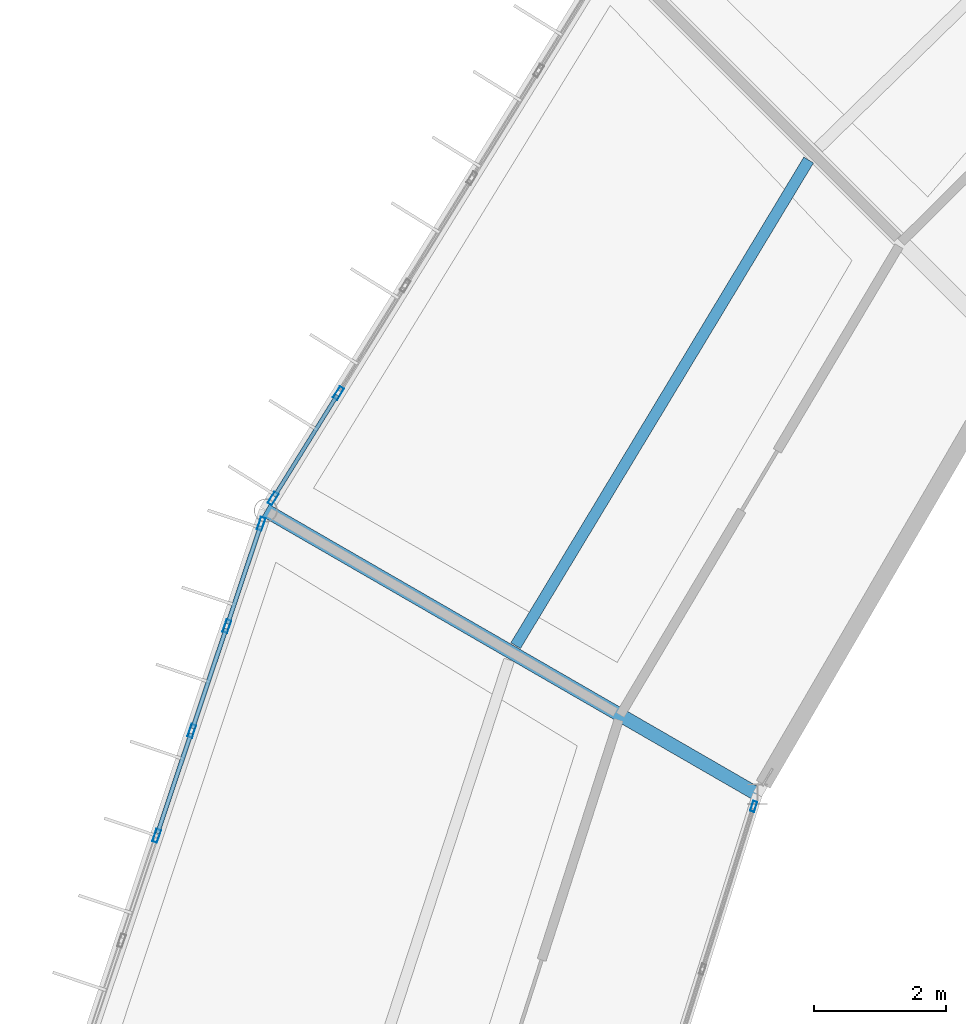
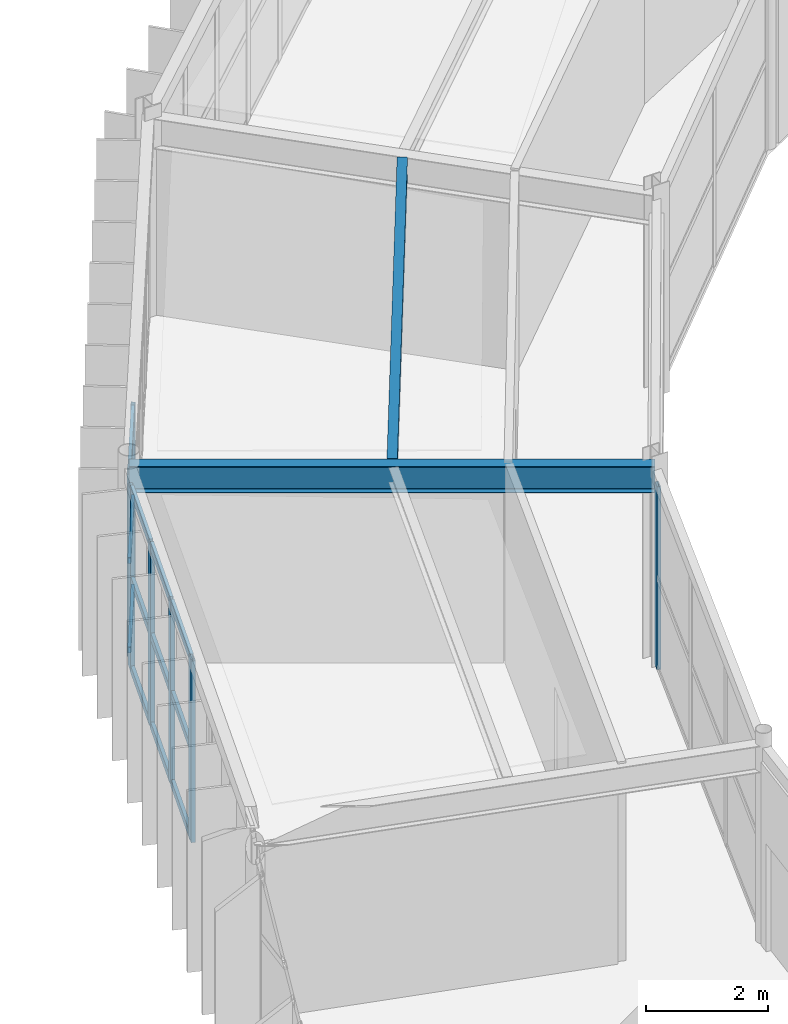
# One storey, part 73 of 148: 19 members, 2 beams, 3 elements without a shape of their own.
"""IFC4 building model written with IfcOpenShell, lengths in metres."""

from ifc_helpers import new_model, si_unit, direction, frame, origin, origin_2d, place, context, subcontext, project, spatial, hollow_rectangle, i_section, extrude, material, material_profile, profile_set, type_object, element, aggregate, save


model = new_model("IFC4")

# Units and contexts
model_context = context("Model", 3, precision=1e-05, world=origin(), true_north=direction((0.0, 1.0)))
body_context = subcontext(model_context, "Body", "Model", "MODEL_VIEW")
ifc_project = project(units=[si_unit("LENGTHUNIT", "METRE"), si_unit("AREAUNIT", "SQUARE_METRE"), si_unit("VOLUMEUNIT", "CUBIC_METRE"), si_unit("PLANEANGLEUNIT", "RADIAN"), si_unit("MASSUNIT", "GRAM", prefix="KILO")], contexts=[model_context])

# Site, building, storey
site_placement = place(None, origin())
site = spatial("IfcSite", under=ifc_project, at=site_placement, CompositionType="ELEMENT")
building_placement = place(site_placement, origin())
building = spatial("IfcBuilding", under=site, at=building_placement, Name="Karori Crest Natural Sciences Institute", CompositionType="ELEMENT")
storey_placement = place(building_placement, frame((0.0, 0.0, 4.89990234375)))
storey = spatial("IfcBuildingStorey", under=building, at=storey_placement, Name="L01", CompositionType="ELEMENT", Elevation=4.89990234375)

# Beams
ifc_material_1 = material(Name="Structural steel AS/NZS 3679.1 Grade 350", Category="steel")
ifc_material_profile_1 = material_profile(ifc_material_1, i_section(OverallWidth=0.208984375, OverallDepth=0.532958984375, WebThickness=0.01025390625, FlangeThickness=0.015625, FilletRadius=0.013916015625, at=origin_2d()), Name="530UB92.4")
ifc_profile_set_1 = profile_set([ifc_material_profile_1], Name="Structural steel AS/NZS 3679.1 Grade 350")
beam_type_1 = type_object("IfcBeamType", Name="BT-05", PredefinedType="BEAM", material=ifc_profile_set_1)
beam_1_placement = place(storey_placement, frame((45.26904296875, 66.0, 3.673583984375), z_axis=(-0.866021068297, 0.500007509209, 0.0), x_axis=(-0.500007509209, -0.866021068297, 0.0)))
element("IfcBeam", 1, at=beam_1_placement, inside=storey, type_object=beam_type_1, Name="Beam B-0221", PredefinedType="BEAM", context=body_context, shape_type="SweptSolid", body=[
    extrude(i_section(OverallWidth=0.208984375, OverallDepth=0.532958984375, WebThickness=0.01025390625, FlangeThickness=0.015625, FilletRadius=0.013916015625, at=origin_2d()), origin(), (0.0, 0.0, 1.0), 8.599853515625),
])
ifc_material_profile_2 = material_profile(ifc_material_1, i_section(OverallWidth=0.1708984375, OverallDepth=0.35595703125, WebThickness=0.00732421875, FlangeThickness=0.011474609375, FilletRadius=0.010986328125, at=origin_2d()), Name="360UB50.7")
ifc_profile_set_2 = profile_set([ifc_material_profile_2], Name="Structural steel AS/NZS 3679.1 Grade 350")
beam_type_2 = type_object("IfcBeamType", Name="BT-30", PredefinedType="BEAM", material=ifc_profile_set_2)
beam_2_placement = place(storey_placement, frame((46.044189453125, 75.606689453125, 3.76220703125), z_axis=(-0.516601017309, -0.856226248672, 0.0), x_axis=(0.856226248672, -0.516601017309, 0.0)))
element("IfcBeam", 2, at=beam_2_placement, inside=storey, type_object=beam_type_2, Name="Beam B-0218", PredefinedType="BEAM", context=body_context, shape_type="SweptSolid", body=[
    extrude(i_section(OverallWidth=0.1708984375, OverallDepth=0.35595703125, WebThickness=0.00732421875, FlangeThickness=0.011474609375, FilletRadius=0.010986328125, at=origin_2d()), origin(), (0.0, 0.0, 1.0), 8.5888671875),
])

# Curtain wall, member
ifc_material_2 = material(Name="Anodised architectural aluminium 6063-T6", Category="aluminium")
curtain_wall_type_1 = type_object("IfcCurtainWallType", Name="CWT-11", PredefinedType="NOTDEFINED", material=ifc_material_2)
curtain_wall_1_placement = place(storey_placement, origin())
curtain_wall_1 = element("IfcCurtainWall", 3, at=curtain_wall_1_placement, inside=storey, type_object=curtain_wall_type_1, Name="Curtain wall CW-0046", PredefinedType="NOTDEFINED")
ifc_material_profile_3 = material_profile(ifc_material_2, hollow_rectangle(XDim=0.06494140625, YDim=0.159912109375, WallThickness=0.00390625, at=origin_2d()), Name="CWM160x65x4")
ifc_profile_set_3 = profile_set([ifc_material_profile_3], Name="Anodised architectural aluminium 6063-T6")
member_type_1 = type_object("IfcMemberType", Name="CWM-01", PredefinedType="MULLION", material=ifc_profile_set_3)
member_1_placement = place(storey_placement, frame((45.211669921875, 65.81689453125, 0.0), z_axis=(0.0, 0.0, 1.0), x_axis=(0.954103649609, -0.2994765864, 0.0)))
member_1 = element("IfcMember", 4, at=member_1_placement, type_object=member_type_1, Name="CW-0046 mullion 1", PredefinedType="MULLION", context=body_context, shape_type="SweptSolid", body=[
    extrude(hollow_rectangle(XDim=0.06494140625, YDim=0.159912109375, WallThickness=0.00390625, at=origin_2d()), origin(), (0.0, 0.0, 1.0), 3.650146484375),
])
aggregate(curtain_wall_1, [member_1])

# Curtain wall, members
curtain_wall_type_2 = type_object("IfcCurtainWallType", Name="CWT-10", PredefinedType="NOTDEFINED", material=ifc_material_2)
curtain_wall_2_placement = place(storey_placement, origin())
curtain_wall_2 = element("IfcCurtainWall", 5, at=curtain_wall_2_placement, inside=storey, type_object=curtain_wall_type_2, Name="Curtain wall CW-0044", PredefinedType="NOTDEFINED")
ifc_material_profile_4 = material_profile(ifc_material_2, hollow_rectangle(XDim=0.074951171875, YDim=0.199951171875, WallThickness=0.0048828125, at=origin_2d()), Name="CWM200x75x5")
ifc_profile_set_4 = profile_set([ifc_material_profile_4], Name="Anodised architectural aluminium 6063-T6")
member_type_2 = type_object("IfcMemberType", Name="CWM-02", PredefinedType="MULLION", material=ifc_profile_set_4)
member_2_placement = place(storey_placement, frame((37.93359375, 70.481201171875, 0.0), z_axis=(0.0, 0.0, 1.0), x_axis=(-0.849662102168, 0.527327518853, 0.0)))
member_2 = element("IfcMember", 6, at=member_2_placement, type_object=member_type_2, Name="CW-0044 mullion 1", PredefinedType="MULLION", context=body_context, shape_type="SweptSolid", body=[
    extrude(hollow_rectangle(XDim=0.074951171875, YDim=0.199951171875, WallThickness=0.0048828125, at=origin_2d()), origin(), (0.0, 0.0, 1.0), 3.625),
])
member_3_placement = place(storey_placement, frame((38.924072265625, 72.0771484375, 0.0), z_axis=(0.0, 0.0, 1.0), x_axis=(-0.849662102168, 0.527327518853, 0.0)))
member_3 = element("IfcMember", 7, at=member_3_placement, type_object=member_type_2, Name="CW-0044 mullion 2", PredefinedType="MULLION", context=body_context, shape_type="SweptSolid", body=[
    extrude(hollow_rectangle(XDim=0.074951171875, YDim=0.199951171875, WallThickness=0.0048828125, at=origin_2d()), origin(), (0.0, 0.0, 1.0), 3.625),
])

curtain_wall_type_3 = type_object("IfcCurtainWallType", Name="CWT-01", PredefinedType="NOTDEFINED", material=ifc_material_2)
curtain_wall_3_placement = place(storey_placement, origin())
curtain_wall_3 = element("IfcCurtainWall", 8, at=curtain_wall_3_placement, inside=storey, type_object=curtain_wall_type_3, Name="Curtain wall CW-0045", PredefinedType="NOTDEFINED")
member_4_placement = place(storey_placement, frame((36.17041015625, 65.372314453125, 0.0), z_axis=(0.0, 0.0, 1.0), x_axis=(-0.948196219586, 0.317685267462, 0.0)))
member_4 = element("IfcMember", 9, at=member_4_placement, type_object=member_type_2, Name="CW-0045 mullion 4", PredefinedType="MULLION", context=body_context, shape_type="SweptSolid", body=[
    extrude(hollow_rectangle(XDim=0.074951171875, YDim=0.199951171875, WallThickness=0.0048828125, at=origin_2d()), origin(), (0.0, 0.0, 1.0), 3.625),
])
member_5_placement = place(storey_placement, frame((36.701904296875, 66.95947265625, 0.0), z_axis=(0.0, 0.0, 1.0), x_axis=(-0.948196219586, 0.317685267462, 0.0)))
member_5 = element("IfcMember", 10, at=member_5_placement, type_object=member_type_2, Name="CW-0045 mullion 5", PredefinedType="MULLION", context=body_context, shape_type="SweptSolid", body=[
    extrude(hollow_rectangle(XDim=0.074951171875, YDim=0.199951171875, WallThickness=0.0048828125, at=origin_2d()), origin(), (0.0, 0.0, 1.0), 3.625),
])
member_6_placement = place(storey_placement, frame((37.233642578125, 68.54638671875, 0.0), z_axis=(0.0, 0.0, 1.0), x_axis=(-0.948196219586, 0.317685267462, 0.0)))
member_6 = element("IfcMember", 11, at=member_6_placement, type_object=member_type_2, Name="CW-0045 mullion 6", PredefinedType="MULLION", context=body_context, shape_type="SweptSolid", body=[
    extrude(hollow_rectangle(XDim=0.074951171875, YDim=0.199951171875, WallThickness=0.0048828125, at=origin_2d()), origin(), (0.0, 0.0, 1.0), 3.625),
])
member_7_placement = place(storey_placement, frame((37.75341796875, 70.09765625, 0.0), z_axis=(0.0, 0.0, 1.0), x_axis=(-0.948196219586, 0.317685267462, 0.0)))
member_7 = element("IfcMember", 12, at=member_7_placement, type_object=member_type_2, Name="CW-0045 mullion 7", PredefinedType="MULLION", context=body_context, shape_type="SweptSolid", body=[
    extrude(hollow_rectangle(XDim=0.074951171875, YDim=0.199951171875, WallThickness=0.0048828125, at=origin_2d()), origin(), (0.0, 0.0, 1.0), 3.625),
])

# Member
ifc_material_profile_5 = material_profile(ifc_material_2, hollow_rectangle(XDim=0.06005859375, YDim=0.1201171875, WallThickness=0.00390625, at=origin_2d()), Name="CWT120x60x4")
ifc_profile_set_5 = profile_set([ifc_material_profile_5], Name="Anodised architectural aluminium 6063-T6")
member_type_3 = type_object("IfcMemberType", Name="CWT-TR1", PredefinedType="USERDEFINED", material=ifc_profile_set_5)
member_8_placement = place(storey_placement, frame((37.953369140625, 70.51318359375, 0.030029296875), z_axis=(0.527319050253, 0.849667357994, 0.0), x_axis=(-0.849667357994, 0.527319050253, 0.0)))
member_8 = element("IfcMember", 13, at=member_8_placement, type_object=member_type_3, Name="CW-0044 transom 1.1", ObjectType="TRANSOM", PredefinedType="USERDEFINED", context=body_context, shape_type="SweptSolid", body=[
    extrude(hollow_rectangle(XDim=0.06005859375, YDim=0.1201171875, WallThickness=0.00390625, at=origin_2d()), origin(), (0.0, 0.0, 1.0), 1.80322265625),
])

member_9_placement = place(storey_placement, frame((37.953369140625, 70.51318359375, 1.8125), z_axis=(0.527319050253, 0.849667357994, 0.0), x_axis=(-0.849667357994, 0.527319050253, 0.0)))
member_9 = element("IfcMember", 14, at=member_9_placement, type_object=member_type_3, Name="CW-0044 transom 1.2", ObjectType="TRANSOM", PredefinedType="USERDEFINED", context=body_context, shape_type="SweptSolid", body=[
    extrude(hollow_rectangle(XDim=0.06005859375, YDim=0.1201171875, WallThickness=0.00390625, at=origin_2d()), origin(), (0.0, 0.0, 1.0), 1.80322265625),
])

member_10_placement = place(storey_placement, frame((37.953369140625, 70.51318359375, 3.59521484375), z_axis=(0.527319050253, 0.849667357994, 0.0), x_axis=(-0.849667357994, 0.527319050253, 0.0)))
member_10 = element("IfcMember", 15, at=member_10_placement, type_object=member_type_3, Name="CW-0044 transom 1.3", ObjectType="TRANSOM", PredefinedType="USERDEFINED", context=body_context, shape_type="SweptSolid", body=[
    extrude(hollow_rectangle(XDim=0.06005859375, YDim=0.1201171875, WallThickness=0.00390625, at=origin_2d()), origin(), (0.0, 0.0, 1.0), 1.80322265625),
])

aggregate(curtain_wall_2, [member_2, member_3, member_8, member_9, member_10])

ifc_material_profile_6 = material_profile(ifc_material_2, hollow_rectangle(XDim=0.06494140625, YDim=0.14990234375, WallThickness=0.00390625, at=origin_2d()), Name="CWT150x65x4")
ifc_profile_set_6 = profile_set([ifc_material_profile_6], Name="Anodised architectural aluminium 6063-T6")
member_type_4 = type_object("IfcMemberType", Name="CWT-TR2", PredefinedType="USERDEFINED", material=ifc_profile_set_6)
member_11_placement = place(storey_placement, frame((36.18212890625, 65.407958984375, 0.03271484375), z_axis=(0.317784959476, 0.948162812776, 0.0), x_axis=(-0.948162812776, 0.317784959476, 0.0)))
member_11 = element("IfcMember", 16, at=member_11_placement, type_object=member_type_4, Name="CW-0045 transom 4.1", ObjectType="TRANSOM", PredefinedType="USERDEFINED", context=body_context, shape_type="SweptSolid", body=[
    extrude(hollow_rectangle(XDim=0.06494140625, YDim=0.14990234375, WallThickness=0.00390625, at=origin_2d()), origin(), (0.0, 0.0, 1.0), 1.5986328125),
])

member_12_placement = place(storey_placement, frame((36.18212890625, 65.407958984375, 1.8125), z_axis=(0.317784959476, 0.948162812776, 0.0), x_axis=(-0.948162812776, 0.317784959476, 0.0)))
member_12 = element("IfcMember", 17, at=member_12_placement, type_object=member_type_4, Name="CW-0045 transom 4.2", ObjectType="TRANSOM", PredefinedType="USERDEFINED", context=body_context, shape_type="SweptSolid", body=[
    extrude(hollow_rectangle(XDim=0.06494140625, YDim=0.14990234375, WallThickness=0.00390625, at=origin_2d()), origin(), (0.0, 0.0, 1.0), 1.5986328125),
])

member_13_placement = place(storey_placement, frame((36.18212890625, 65.407958984375, 3.592529296875), z_axis=(0.317784959476, 0.948162812776, 0.0), x_axis=(-0.948162812776, 0.317784959476, 0.0)))
member_13 = element("IfcMember", 18, at=member_13_placement, type_object=member_type_4, Name="CW-0045 transom 4.3", ObjectType="TRANSOM", PredefinedType="USERDEFINED", context=body_context, shape_type="SweptSolid", body=[
    extrude(hollow_rectangle(XDim=0.06494140625, YDim=0.14990234375, WallThickness=0.00390625, at=origin_2d()), origin(), (0.0, 0.0, 1.0), 1.5986328125),
])

member_14_placement = place(storey_placement, frame((36.7138671875, 66.994873046875, 0.03271484375), z_axis=(0.317647663217, 0.948208817747, 0.0), x_axis=(-0.948208817747, 0.317647663217, 0.0)))
member_14 = element("IfcMember", 19, at=member_14_placement, type_object=member_type_4, Name="CW-0045 transom 5.1", ObjectType="TRANSOM", PredefinedType="USERDEFINED", context=body_context, shape_type="SweptSolid", body=[
    extrude(hollow_rectangle(XDim=0.06494140625, YDim=0.14990234375, WallThickness=0.00390625, at=origin_2d()), origin(), (0.0, 0.0, 1.0), 1.5986328125),
])

member_15_placement = place(storey_placement, frame((36.7138671875, 66.994873046875, 1.8125), z_axis=(0.317647663217, 0.948208817747, 0.0), x_axis=(-0.948208817747, 0.317647663217, 0.0)))
member_15 = element("IfcMember", 20, at=member_15_placement, type_object=member_type_4, Name="CW-0045 transom 5.2", ObjectType="TRANSOM", PredefinedType="USERDEFINED", context=body_context, shape_type="SweptSolid", body=[
    extrude(hollow_rectangle(XDim=0.06494140625, YDim=0.14990234375, WallThickness=0.00390625, at=origin_2d()), origin(), (0.0, 0.0, 1.0), 1.5986328125),
])

member_16_placement = place(storey_placement, frame((36.7138671875, 66.994873046875, 3.592529296875), z_axis=(0.317647663217, 0.948208817747, 0.0), x_axis=(-0.948208817747, 0.317647663217, 0.0)))
member_16 = element("IfcMember", 21, at=member_16_placement, type_object=member_type_4, Name="CW-0045 transom 5.3", ObjectType="TRANSOM", PredefinedType="USERDEFINED", context=body_context, shape_type="SweptSolid", body=[
    extrude(hollow_rectangle(XDim=0.06494140625, YDim=0.14990234375, WallThickness=0.00390625, at=origin_2d()), origin(), (0.0, 0.0, 1.0), 1.5986328125),
])

member_17_placement = place(storey_placement, frame((37.24560546875, 68.581787109375, 0.03271484375), z_axis=(0.317587861551, 0.948228849063, 0.0), x_axis=(-0.948228849063, 0.317587861551, 0.0)))
member_17 = element("IfcMember", 22, at=member_17_placement, type_object=member_type_4, Name="CW-0045 transom 6.1", ObjectType="TRANSOM", PredefinedType="USERDEFINED", context=body_context, shape_type="SweptSolid", body=[
    extrude(hollow_rectangle(XDim=0.06494140625, YDim=0.14990234375, WallThickness=0.00390625, at=origin_2d()), origin(), (0.0, 0.0, 1.0), 1.561279296875),
])

member_18_placement = place(storey_placement, frame((37.24560546875, 68.581787109375, 1.8125), z_axis=(0.317587861551, 0.948228849063, 0.0), x_axis=(-0.948228849063, 0.317587861551, 0.0)))
member_18 = element("IfcMember", 23, at=member_18_placement, type_object=member_type_4, Name="CW-0045 transom 6.2", ObjectType="TRANSOM", PredefinedType="USERDEFINED", context=body_context, shape_type="SweptSolid", body=[
    extrude(hollow_rectangle(XDim=0.06494140625, YDim=0.14990234375, WallThickness=0.00390625, at=origin_2d()), origin(), (0.0, 0.0, 1.0), 1.561279296875),
])

member_19_placement = place(storey_placement, frame((37.24560546875, 68.581787109375, 3.592529296875), z_axis=(0.317587861551, 0.948228849063, 0.0), x_axis=(-0.948228849063, 0.317587861551, 0.0)))
member_19 = element("IfcMember", 24, at=member_19_placement, type_object=member_type_4, Name="CW-0045 transom 6.3", ObjectType="TRANSOM", PredefinedType="USERDEFINED", context=body_context, shape_type="SweptSolid", body=[
    extrude(hollow_rectangle(XDim=0.06494140625, YDim=0.14990234375, WallThickness=0.00390625, at=origin_2d()), origin(), (0.0, 0.0, 1.0), 1.561279296875),
])

aggregate(curtain_wall_3, [member_4, member_5, member_6, member_7, member_11, member_12, member_13, member_14, member_15, member_16, member_17, member_18, member_19])

save(model, "model.ifc")
